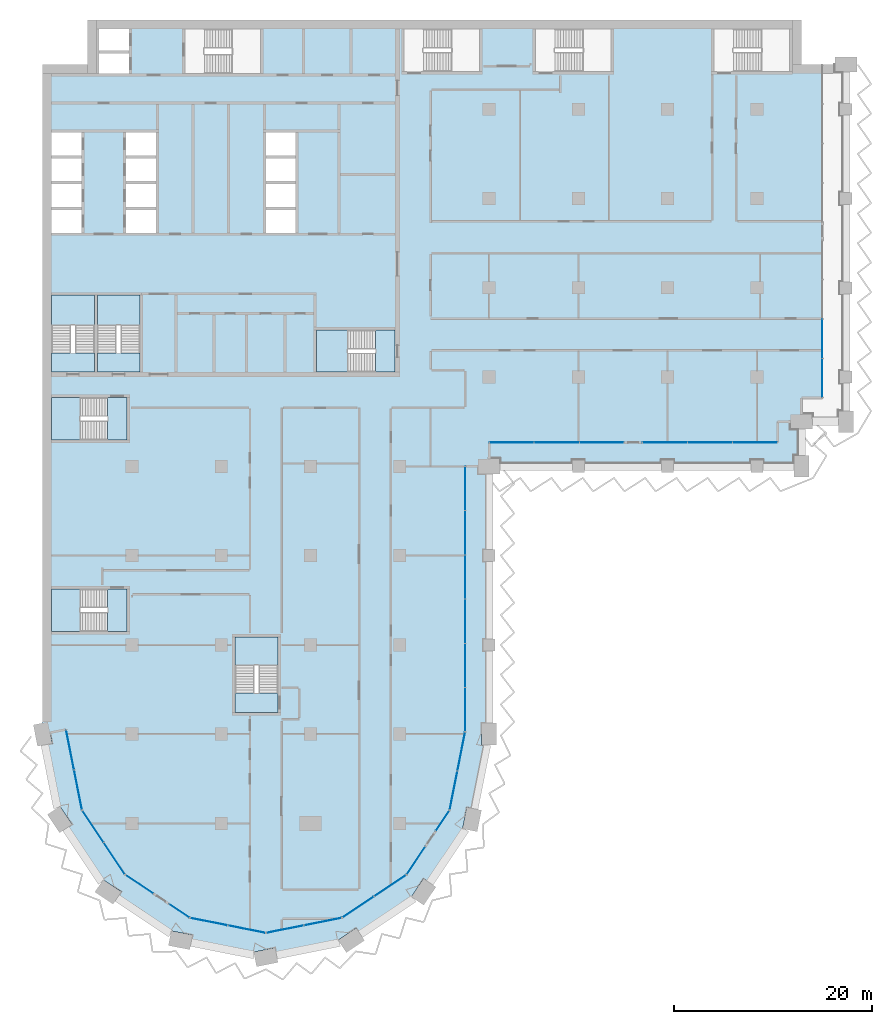
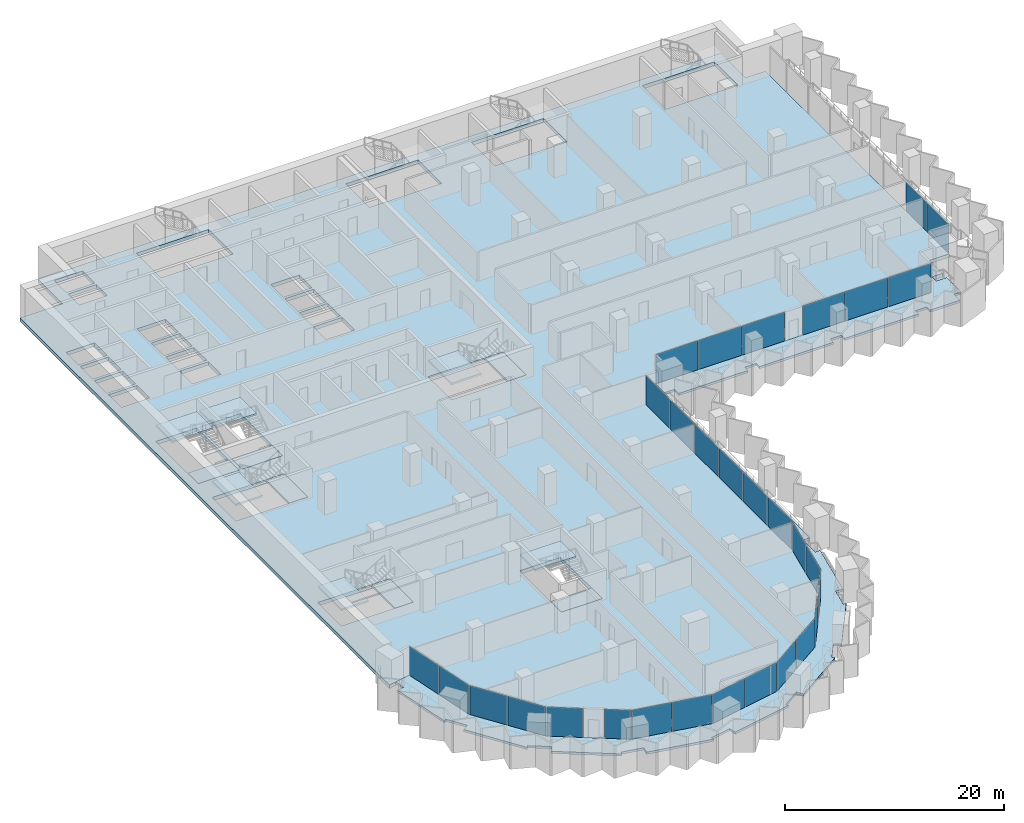
# One storey, part 7 of 23: 30 plates, 15 slabs, 20 elements without a shape of their own.
"""IFC4 building model written with IfcOpenShell, lengths in metres."""

from ifc_helpers import new_model, si_unit, direction, frame, origin, origin_2d, place, context, subcontext, project, spatial, polyline, rectangle, outline, extrude, material, layer, layer_set, type_object, element, aggregate, save


model = new_model("IFC4")

# Units and contexts
model_context = context("Model", 3, precision=1e-05, world=origin(), true_north=direction((0.0, 1.0)))
body_context = subcontext(model_context, "Body", "Model", "MODEL_VIEW")
ifc_project = project(units=[si_unit("LENGTHUNIT", "METRE"), si_unit("AREAUNIT", "SQUARE_METRE"), si_unit("VOLUMEUNIT", "CUBIC_METRE"), si_unit("PLANEANGLEUNIT", "RADIAN"), si_unit("MASSUNIT", "GRAM", prefix="KILO")], contexts=[model_context])

# Site, building, storey
site_placement = place(None, origin())
site = spatial("IfcSite", under=ifc_project, at=site_placement, CompositionType="ELEMENT")
building_placement = place(site_placement, origin())
building = spatial("IfcBuilding", under=site, at=building_placement, Name="Hunhe Ridgeline Campus", CompositionType="ELEMENT")
storey_placement = place(building_placement, frame((0.0, 0.0, 95.89990234375)))
storey = spatial("IfcBuildingStorey", under=building, at=storey_placement, Name="L23", CompositionType="ELEMENT", Elevation=95.89990234375)

# Curtain wall, plates
ifc_material_1 = material(Name="Aluminium 6063", Category="aluminium")
curtain_wall_type_1 = type_object("IfcCurtainWallType", Name="Curtain wall CW-5", PredefinedType="NOTDEFINED", material=ifc_material_1)
curtain_wall_1_placement = place(storey_placement, origin())
curtain_wall_1 = element("IfcCurtainWall", 1, at=curtain_wall_1_placement, inside=storey, type_object=curtain_wall_type_1, Name="Curtain wall 01", PredefinedType="NOTDEFINED")
ifc_material_2 = material(Name="Low-e laminated glass", Category="glass")
ifc_layer_1 = layer(ifc_material_2, 0.028076171875)
ifc_layer_set_1 = layer_set([ifc_layer_1], Name="Curtain wall glass panel 28 low-e laminated")
plate_type = type_object("IfcPlateType", Name="Curtain wall glass panel 28 low-e laminated", PredefinedType="CURTAIN_PANEL", material=ifc_layer_set_1)
plate_1_placement = place(storey_placement, frame((2.76318359375, 25.416015625, 0.0), z_axis=(0.0, 0.0, 1.0), x_axis=(0.195095347137, -0.980784280831, 0.0)))
plate_1 = element("IfcPlate", 2, at=plate_1_placement, type_object=plate_type, Name="CW-5 panel 1", PredefinedType="CURTAIN_PANEL", context=body_context, shape_type="SweptSolid", body=[
    extrude(rectangle(XDim=4.0458984375, YDim=0.028076171875, at=origin_2d()), origin(), (0.0, 0.0, 1.0), 3.22998046875),
])
plate_2_placement = place(storey_placement, frame((3.566162109375, 21.379150390625, 0.0), z_axis=(0.0, 0.0, 1.0), x_axis=(0.195095347137, -0.980784280831, 0.0)))
plate_2 = element("IfcPlate", 3, at=plate_2_placement, type_object=plate_type, Name="CW-5 panel 2", PredefinedType="CURTAIN_PANEL", context=body_context, shape_type="SweptSolid", body=[
    extrude(rectangle(XDim=4.0458984375, YDim=0.028076171875, at=origin_2d()), origin(), (0.0, 0.0, 1.0), 3.22998046875),
])
aggregate(curtain_wall_1, [plate_1, plate_2])

curtain_wall_2_placement = place(storey_placement, origin())
curtain_wall_2 = element("IfcCurtainWall", 4, at=curtain_wall_2_placement, inside=storey, type_object=curtain_wall_type_1, Name="Curtain wall 02", PredefinedType="NOTDEFINED")
plate_3_placement = place(storey_placement, frame((5.07080078125, 17.685546875, 0.0), z_axis=(0.0, 0.0, 1.0), x_axis=(0.555570274596, -0.831469584522, 0.0)))
plate_3 = element("IfcPlate", 5, at=plate_3_placement, type_object=plate_type, Name="CW-5 panel 1", PredefinedType="CURTAIN_PANEL", context=body_context, shape_type="SweptSolid", body=[
    extrude(rectangle(XDim=3.806884765625, YDim=0.028076171875, at=origin_2d()), origin(), (0.0, 0.0, 1.0), 3.22998046875),
])
plate_4_placement = place(storey_placement, frame((7.224609375, 14.4619140625, 0.0), z_axis=(0.0, 0.0, 1.0), x_axis=(0.555570274596, -0.831469584522, 0.0)))
plate_4 = element("IfcPlate", 6, at=plate_4_placement, type_object=plate_type, Name="CW-5 panel 2", PredefinedType="CURTAIN_PANEL", context=body_context, shape_type="SweptSolid", body=[
    extrude(rectangle(XDim=3.806884765625, YDim=0.028076171875, at=origin_2d()), origin(), (0.0, 0.0, 1.0), 3.22998046875),
])
aggregate(curtain_wall_2, [plate_3, plate_4])

# Curtain wall, plate
curtain_wall_3_placement = place(storey_placement, origin())
curtain_wall_3 = element("IfcCurtainWall", 7, at=curtain_wall_3_placement, inside=storey, type_object=curtain_wall_type_1, Name="Curtain wall 03", PredefinedType="NOTDEFINED")
plate_5_placement = place(storey_placement, frame((9.76025390625, 11.859375, 0.0), z_axis=(0.0, 0.0, 1.0), x_axis=(0.831469595944, -0.555570257501, 0.0)))
plate_5 = element("IfcPlate", 8, at=plate_5_placement, type_object=plate_type, Name="CW-5 panel 1", PredefinedType="CURTAIN_PANEL", context=body_context, shape_type="SweptSolid", body=[
    extrude(rectangle(XDim=3.322021484375, YDim=0.028076171875, at=origin_2d()), origin(), (0.0, 0.0, 1.0), 3.22998046875),
])
aggregate(curtain_wall_3, [plate_5])

curtain_wall_4_placement = place(storey_placement, origin())
curtain_wall_4 = element("IfcCurtainWall", 9, at=curtain_wall_4_placement, inside=storey, type_object=curtain_wall_type_1, Name="Curtain wall 04", PredefinedType="NOTDEFINED")
plate_6_placement = place(storey_placement, frame((13.761474609375, 9.18603515625, 0.0), z_axis=(0.0, 0.0, 1.0), x_axis=(0.831469510353, -0.555570385598, 0.0)))
plate_6 = element("IfcPlate", 10, at=plate_6_placement, type_object=plate_type, Name="CW-5 panel 1", PredefinedType="CURTAIN_PANEL", context=body_context, shape_type="SweptSolid", body=[
    extrude(rectangle(XDim=2.421875, YDim=0.028076171875, at=origin_2d()), origin(), (0.0, 0.0, 1.0), 3.22998046875),
])
aggregate(curtain_wall_4, [plate_6])

# Curtain wall, plates
curtain_wall_5_placement = place(storey_placement, origin())
curtain_wall_5 = element("IfcCurtainWall", 11, at=curtain_wall_5_placement, inside=storey, type_object=curtain_wall_type_1, Name="Curtain wall 05", PredefinedType="NOTDEFINED")
plate_7_placement = place(storey_placement, frame((16.761962890625, 8.08935546875, 0.0), z_axis=(0.0, 0.0, 1.0), x_axis=(0.980785275326, -0.195090347539, 0.0)))
plate_7 = element("IfcPlate", 12, at=plate_7_placement, type_object=plate_type, Name="CW-5 panel 1", PredefinedType="CURTAIN_PANEL", context=body_context, shape_type="SweptSolid", body=[
    extrude(rectangle(XDim=3.806884765625, YDim=0.028076171875, at=origin_2d()), origin(), (0.0, 0.0, 1.0), 3.22998046875),
])
plate_8_placement = place(storey_placement, frame((20.564453125, 7.3330078125, 0.0), z_axis=(0.0, 0.0, 1.0), x_axis=(0.980785275326, -0.195090347539, 0.0)))
plate_8 = element("IfcPlate", 13, at=plate_8_placement, type_object=plate_type, Name="CW-5 panel 2", PredefinedType="CURTAIN_PANEL", context=body_context, shape_type="SweptSolid", body=[
    extrude(rectangle(XDim=3.806884765625, YDim=0.028076171875, at=origin_2d()), origin(), (0.0, 0.0, 1.0), 3.22998046875),
])
aggregate(curtain_wall_5, [plate_7, plate_8])

curtain_wall_6_placement = place(storey_placement, origin())
curtain_wall_6 = element("IfcCurtainWall", 14, at=curtain_wall_6_placement, inside=storey, type_object=curtain_wall_type_1, Name="Curtain wall 06", PredefinedType="NOTDEFINED")
plate_9_placement = place(storey_placement, frame((24.435546875, 7.3330078125, 0.0), z_axis=(0.0, 0.0, 1.0), x_axis=(0.980785275326, 0.195090347539, 0.0)))
plate_9 = element("IfcPlate", 15, at=plate_9_placement, type_object=plate_type, Name="CW-5 panel 1", PredefinedType="CURTAIN_PANEL", context=body_context, shape_type="SweptSolid", body=[
    extrude(rectangle(XDim=3.806884765625, YDim=0.028076171875, at=origin_2d()), origin(), (0.0, 0.0, 1.0), 3.22998046875),
])
plate_10_placement = place(storey_placement, frame((28.238037109375, 8.08935546875, 0.0), z_axis=(0.0, 0.0, 1.0), x_axis=(0.980785275326, 0.195090347539, 0.0)))
plate_10 = element("IfcPlate", 16, at=plate_10_placement, type_object=plate_type, Name="CW-5 panel 2", PredefinedType="CURTAIN_PANEL", context=body_context, shape_type="SweptSolid", body=[
    extrude(rectangle(XDim=3.806884765625, YDim=0.028076171875, at=origin_2d()), origin(), (0.0, 0.0, 1.0), 3.22998046875),
])
aggregate(curtain_wall_6, [plate_9, plate_10])

curtain_wall_7_placement = place(storey_placement, origin())
curtain_wall_7 = element("IfcCurtainWall", 17, at=curtain_wall_7_placement, inside=storey, type_object=curtain_wall_type_1, Name="Curtain wall 07", PredefinedType="NOTDEFINED")
plate_11_placement = place(storey_placement, frame((31.814453125, 9.57080078125, 0.0), z_axis=(0.0, 0.0, 1.0), x_axis=(0.831469584522, 0.555570274596, 0.0)))
plate_11 = element("IfcPlate", 18, at=plate_11_placement, type_object=plate_type, Name="CW-5 panel 1", PredefinedType="CURTAIN_PANEL", context=body_context, shape_type="SweptSolid", body=[
    extrude(rectangle(XDim=3.806884765625, YDim=0.028076171875, at=origin_2d()), origin(), (0.0, 0.0, 1.0), 3.22998046875),
])
plate_12_placement = place(storey_placement, frame((35.0380859375, 11.724609375, 0.0), z_axis=(0.0, 0.0, 1.0), x_axis=(0.831469584522, 0.555570274596, 0.0)))
plate_12 = element("IfcPlate", 19, at=plate_12_placement, type_object=plate_type, Name="CW-5 panel 2", PredefinedType="CURTAIN_PANEL", context=body_context, shape_type="SweptSolid", body=[
    extrude(rectangle(XDim=3.806884765625, YDim=0.028076171875, at=origin_2d()), origin(), (0.0, 0.0, 1.0), 3.22998046875),
])
aggregate(curtain_wall_7, [plate_11, plate_12])

# Curtain wall, plate
curtain_wall_8_placement = place(storey_placement, origin())
curtain_wall_8 = element("IfcCurtainWall", 20, at=curtain_wall_8_placement, inside=storey, type_object=curtain_wall_type_1, Name="Curtain wall 08", PredefinedType="NOTDEFINED")
plate_13_placement = place(storey_placement, frame((37.640625, 14.26025390625, 0.0), z_axis=(0.0, 0.0, 1.0), x_axis=(0.555570257501, 0.831469595944, 0.0)))
plate_13 = element("IfcPlate", 21, at=plate_13_placement, type_object=plate_type, Name="CW-5 panel 1", PredefinedType="CURTAIN_PANEL", context=body_context, shape_type="SweptSolid", body=[
    extrude(rectangle(XDim=3.322021484375, YDim=0.028076171875, at=origin_2d()), origin(), (0.0, 0.0, 1.0), 3.22998046875),
])
aggregate(curtain_wall_8, [plate_13])

curtain_wall_9_placement = place(storey_placement, origin())
curtain_wall_9 = element("IfcCurtainWall", 22, at=curtain_wall_9_placement, inside=storey, type_object=curtain_wall_type_1, Name="Curtain wall 09", PredefinedType="NOTDEFINED")
plate_14_placement = place(storey_placement, frame((40.31396484375, 18.261474609375, 0.0), z_axis=(0.0, 0.0, 1.0), x_axis=(0.555570385598, 0.831469510353, 0.0)))
plate_14 = element("IfcPlate", 23, at=plate_14_placement, type_object=plate_type, Name="CW-5 panel 1", PredefinedType="CURTAIN_PANEL", context=body_context, shape_type="SweptSolid", body=[
    extrude(rectangle(XDim=2.421875, YDim=0.028076171875, at=origin_2d()), origin(), (0.0, 0.0, 1.0), 3.22998046875),
])
aggregate(curtain_wall_9, [plate_14])

# Curtain wall, plates
curtain_wall_10_placement = place(storey_placement, origin())
curtain_wall_10 = element("IfcCurtainWall", 24, at=curtain_wall_10_placement, inside=storey, type_object=curtain_wall_type_1, Name="Curtain wall 10", PredefinedType="NOTDEFINED")
plate_15_placement = place(storey_placement, frame((41.42236328125, 21.321044921875, 0.0), z_axis=(0.0, 0.0, 1.0), x_axis=(0.195090299215, 0.980785284939, 0.0)))
plate_15 = element("IfcPlate", 25, at=plate_15_placement, type_object=plate_type, Name="CW-5 panel 1", PredefinedType="CURTAIN_PANEL", context=body_context, shape_type="SweptSolid", body=[
    extrude(rectangle(XDim=3.927490234375, YDim=0.028076171875, at=origin_2d()), origin(), (0.0, 0.0, 1.0), 3.22998046875),
])
plate_16_placement = place(storey_placement, frame((42.2021484375, 25.24169921875, 0.0), z_axis=(0.0, 0.0, 1.0), x_axis=(0.195090299215, 0.980785284939, 0.0)))
plate_16 = element("IfcPlate", 26, at=plate_16_placement, type_object=plate_type, Name="CW-5 panel 2", PredefinedType="CURTAIN_PANEL", context=body_context, shape_type="SweptSolid", body=[
    extrude(rectangle(XDim=3.927490234375, YDim=0.028076171875, at=origin_2d()), origin(), (0.0, 0.0, 1.0), 3.22998046875),
])
aggregate(curtain_wall_10, [plate_15, plate_16])

curtain_wall_type_2 = type_object("IfcCurtainWallType", Name="Curtain wall CW-1", PredefinedType="NOTDEFINED", material=ifc_material_1)
curtain_wall_11_placement = place(storey_placement, origin())
curtain_wall_11 = element("IfcCurtainWall", 27, at=curtain_wall_11_placement, inside=storey, type_object=curtain_wall_type_2, Name="Curtain wall 11", PredefinedType="NOTDEFINED")
plate_17_placement = place(storey_placement, frame((42.59912109375, 29.48193359375, 0.0), z_axis=(0.0, 0.0, 1.0), x_axis=(1.0947456e-05, 0.99999999994, 0.0)))
plate_17 = element("IfcPlate", 28, at=plate_17_placement, type_object=plate_type, Name="CW-1 panel 1", PredefinedType="CURTAIN_PANEL", context=body_context, shape_type="SweptSolid", body=[
    extrude(rectangle(XDim=4.37060546875, YDim=0.028076171875, at=origin_2d()), origin(), (0.0, 0.0, 1.0), 3.239990234375),
])
plate_18_placement = place(storey_placement, frame((42.59912109375, 33.927490234375, 0.0), z_axis=(0.0, 0.0, 1.0), x_axis=(1.0947456e-05, 0.99999999994, 0.0)))
plate_18 = element("IfcPlate", 29, at=plate_18_placement, type_object=plate_type, Name="CW-1 panel 2", PredefinedType="CURTAIN_PANEL", context=body_context, shape_type="SweptSolid", body=[
    extrude(rectangle(XDim=4.400634765625, YDim=0.028076171875, at=origin_2d()), origin(), (0.0, 0.0, 1.0), 3.239990234375),
])
plate_19_placement = place(storey_placement, frame((42.59912109375, 38.38818359375, 0.0), z_axis=(0.0, 0.0, 1.0), x_axis=(1.0947456e-05, 0.99999999994, 0.0)))
plate_19 = element("IfcPlate", 30, at=plate_19_placement, type_object=plate_type, Name="CW-1 panel 3", PredefinedType="CURTAIN_PANEL", context=body_context, shape_type="SweptSolid", body=[
    extrude(rectangle(XDim=4.400634765625, YDim=0.028076171875, at=origin_2d()), origin(), (0.0, 0.0, 1.0), 3.239990234375),
])
plate_20_placement = place(storey_placement, frame((42.59912109375, 42.848876953125, 0.0), z_axis=(0.0, 0.0, 1.0), x_axis=(1.0947456e-05, 0.99999999994, 0.0)))
plate_20 = element("IfcPlate", 31, at=plate_20_placement, type_object=plate_type, Name="CW-1 panel 4", PredefinedType="CURTAIN_PANEL", context=body_context, shape_type="SweptSolid", body=[
    extrude(rectangle(XDim=4.400634765625, YDim=0.028076171875, at=origin_2d()), origin(), (0.0, 0.0, 1.0), 3.239990234375),
])
plate_21_placement = place(storey_placement, frame((42.59912109375, 47.3095703125, 0.0), z_axis=(0.0, 0.0, 1.0), x_axis=(1.0947456e-05, 0.99999999994, 0.0)))
plate_21 = element("IfcPlate", 32, at=plate_21_placement, type_object=plate_type, Name="CW-1 panel 5", PredefinedType="CURTAIN_PANEL", context=body_context, shape_type="SweptSolid", body=[
    extrude(rectangle(XDim=4.400634765625, YDim=0.028076171875, at=origin_2d()), origin(), (0.0, 0.0, 1.0), 3.239990234375),
])
plate_22_placement = place(storey_placement, frame((42.599365234375, 51.75537109375, 0.0), z_axis=(0.0, 0.0, 1.0), x_axis=(1.0947456e-05, 0.99999999994, 0.0)))
plate_22 = element("IfcPlate", 33, at=plate_22_placement, type_object=plate_type, Name="CW-1 panel 6", PredefinedType="CURTAIN_PANEL", context=body_context, shape_type="SweptSolid", body=[
    extrude(rectangle(XDim=4.37060546875, YDim=0.028076171875, at=origin_2d()), origin(), (0.0, 0.0, 1.0), 3.239990234375),
])
aggregate(curtain_wall_11, [plate_17, plate_18, plate_19, plate_20, plate_21, plate_22])

curtain_wall_12_placement = place(storey_placement, origin())
curtain_wall_12 = element("IfcCurtainWall", 34, at=curtain_wall_12_placement, inside=storey, type_object=curtain_wall_type_2, Name="Curtain wall 12", PredefinedType="NOTDEFINED")
plate_23_placement = place(storey_placement, frame((47.289794921875, 56.40087890625, 0.0), z_axis=(0.0, 0.0, 1.0), x_axis=(1.0, 1.4652e-07, 0.0)))
plate_23 = element("IfcPlate", 35, at=plate_23_placement, type_object=plate_type, Name="CW-1 panel 1", PredefinedType="CURTAIN_PANEL", context=body_context, shape_type="SweptSolid", body=[
    extrude(rectangle(XDim=4.4599609375, YDim=0.028076171875, at=origin_2d()), origin(), (0.0, 0.0, 1.0), 3.239990234375),
])
plate_24_placement = place(storey_placement, frame((51.82470703125, 56.40087890625, 0.0), z_axis=(0.0, 0.0, 1.0), x_axis=(1.0, 1.4652e-07, 0.0)))
plate_24 = element("IfcPlate", 36, at=plate_24_placement, type_object=plate_type, Name="CW-1 panel 2", PredefinedType="CURTAIN_PANEL", context=body_context, shape_type="SweptSolid", body=[
    extrude(rectangle(XDim=4.48974609375, YDim=0.028076171875, at=origin_2d()), origin(), (0.0, 0.0, 1.0), 3.239990234375),
])
plate_25_placement = place(storey_placement, frame((56.359619140625, 56.40087890625, 0.0), z_axis=(0.0, 0.0, 1.0), x_axis=(1.0, 1.4652e-07, 0.0)))
plate_25 = element("IfcPlate", 37, at=plate_25_placement, type_object=plate_type, Name="CW-1 panel 3", PredefinedType="CURTAIN_PANEL", context=body_context, shape_type="SweptSolid", body=[
    extrude(rectangle(XDim=4.4599609375, YDim=0.028076171875, at=origin_2d()), origin(), (0.0, 0.0, 1.0), 3.239990234375),
])
aggregate(curtain_wall_12, [plate_23, plate_24, plate_25])

curtain_wall_13_placement = place(storey_placement, origin())
curtain_wall_13 = element("IfcCurtainWall", 38, at=curtain_wall_13_placement, inside=storey, type_object=curtain_wall_type_2, Name="Curtain wall 13", PredefinedType="NOTDEFINED")
plate_26_placement = place(storey_placement, frame((62.7392578125, 56.40087890625, 0.0), z_axis=(0.0, 0.0, 1.0), x_axis=(1.0, 1.4652e-07, 0.0)))
plate_26 = element("IfcPlate", 39, at=plate_26_placement, type_object=plate_type, Name="CW-1 panel 1", PredefinedType="CURTAIN_PANEL", context=body_context, shape_type="SweptSolid", body=[
    extrude(rectangle(XDim=4.4599609375, YDim=0.028076171875, at=origin_2d()), origin(), (0.0, 0.0, 1.0), 3.239990234375),
])
plate_27_placement = place(storey_placement, frame((67.274169921875, 56.40087890625, 0.0), z_axis=(0.0, 0.0, 1.0), x_axis=(1.0, 1.4652e-07, 0.0)))
plate_27 = element("IfcPlate", 40, at=plate_27_placement, type_object=plate_type, Name="CW-1 panel 2", PredefinedType="CURTAIN_PANEL", context=body_context, shape_type="SweptSolid", body=[
    extrude(rectangle(XDim=4.48974609375, YDim=0.028076171875, at=origin_2d()), origin(), (0.0, 0.0, 1.0), 3.239990234375),
])
plate_28_placement = place(storey_placement, frame((71.80908203125, 56.40087890625, 0.0), z_axis=(0.0, 0.0, 1.0), x_axis=(1.0, 1.4652e-07, 0.0)))
plate_28 = element("IfcPlate", 41, at=plate_28_placement, type_object=plate_type, Name="CW-1 panel 3", PredefinedType="CURTAIN_PANEL", context=body_context, shape_type="SweptSolid", body=[
    extrude(rectangle(XDim=4.4599609375, YDim=0.028076171875, at=origin_2d()), origin(), (0.0, 0.0, 1.0), 3.239990234375),
])
aggregate(curtain_wall_13, [plate_26, plate_27, plate_28])

curtain_wall_14_placement = place(storey_placement, origin())
curtain_wall_14 = element("IfcCurtainWall", 42, at=curtain_wall_14_placement, inside=storey, type_object=curtain_wall_type_2, Name="Curtain wall 14", PredefinedType="NOTDEFINED")
plate_29_placement = place(storey_placement, frame((78.59912109375, 62.9033203125, 0.0), z_axis=(0.0, 0.0, 1.0), x_axis=(0.0, 1.0, 0.0)))
plate_29 = element("IfcPlate", 43, at=plate_29_placement, type_object=plate_type, Name="CW-1 panel 1", PredefinedType="CURTAIN_PANEL", context=body_context, shape_type="SweptSolid", body=[
    extrude(rectangle(XDim=3.884765625, YDim=0.028076171875, at=origin_2d()), origin(), (0.0, 0.0, 1.0), 3.239990234375),
])
plate_30_placement = place(storey_placement, frame((78.59912109375, 66.86328125, 0.0), z_axis=(0.0, 0.0, 1.0), x_axis=(0.0, 1.0, 0.0)))
plate_30 = element("IfcPlate", 44, at=plate_30_placement, type_object=plate_type, Name="CW-1 panel 2", PredefinedType="CURTAIN_PANEL", context=body_context, shape_type="SweptSolid", body=[
    extrude(rectangle(XDim=3.914794921875, YDim=0.028076171875, at=origin_2d()), origin(), (0.0, 0.0, 1.0), 3.239990234375),
])
aggregate(curtain_wall_14, [plate_29, plate_30])

# Slabs
ifc_material_3 = material(Name="Concrete C40", Category="concrete")
ifc_layer_2 = layer(ifc_material_3, 0.39990234375)
ifc_layer_set_2 = layer_set([ifc_layer_2], Name="Floor slab 400 Concrete C40")
slab_type_1 = type_object("IfcSlabType", Name="Floor slab 400 Concrete C40", PredefinedType="FLOOR", material=ifc_layer_set_2)
slab_1_placement = place(storey_placement, frame((0.0, 0.0, -0.39990234375)))
element("IfcSlab", 45, at=slab_1_placement, inside=storey, type_object=slab_type_1, Name="Floor slab L23 1", PredefinedType="FLOOR", context=body_context, shape_type="SweptSolid", body=[
    extrude(outline(polyline([(0.0, 27.0009765625), (2.354736328125, 27.46875), (3.974365234375, 19.326416015625), (8.321044921875, 12.821044921875), (14.826416015625, 8.474365234375), (22.5, 6.947998046875), (30.173583984375, 8.474365234375), (36.678955078125, 12.821044921875), (41.025634765625, 19.326416015625), (42.59912109375, 27.236572265625), (42.599365234375, 54.000732421875), (44.9990234375, 54.0009765625), (45.0, 56.40087890625), (74.09912109375, 56.40087890625), (74.099365234375, 58.500732421875), (76.4990234375, 58.5009765625), (76.499267578125, 60.900634765625), (78.59912109375, 60.90087890625), (78.59912109375, 94.5), (76.5, 94.5), (76.5, 99.0), (4.5, 99.0), (4.5, 94.5), (0.0, 94.5), (0.0, 27.0009765625)]), holes=[polyline([(67.699951171875, 93.800048828125), (75.300048828125, 93.800048828125), (75.300048828125, 98.10009765625), (67.699951171875, 98.10009765625), (67.699951171875, 93.800048828125)]), polyline([(57.300048828125, 93.800048828125), (57.300048828125, 98.10009765625), (49.699951171875, 98.10009765625), (49.699951171875, 93.800048828125), (57.300048828125, 93.800048828125)]), polyline([(44.050048828125, 98.10009765625), (36.449951171875, 98.10009765625), (36.449951171875, 93.800048828125), (44.050048828125, 93.800048828125), (44.050048828125, 98.10009765625)]), polyline([(27.60009765625, 67.75), (27.60009765625, 63.5), (35.5, 63.5), (35.5, 67.75), (27.60009765625, 67.75)]), polyline([(25.5, 85.35009765625), (25.5, 87.64990234375), (22.5, 87.64990234375), (22.5, 85.35009765625), (25.5, 85.35009765625)]), polyline([(25.5, 85.050048828125), (22.5, 85.050048828125), (22.5, 82.75), (25.5, 82.75), (25.5, 85.050048828125)]), polyline([(22.5, 82.449951171875), (22.5, 80.14990234375), (25.5, 80.14990234375), (25.5, 82.449951171875), (22.5, 82.449951171875)]), polyline([(22.5, 77.550048828125), (25.5, 77.550048828125), (25.5, 79.85009765625), (22.5, 79.85009765625), (22.5, 77.550048828125)]), polyline([(19.39990234375, 29.199951171875), (23.699951171875, 29.199951171875), (23.699951171875, 36.800048828125), (19.39990234375, 36.800048828125), (19.39990234375, 29.199951171875)]), polyline([(21.949951171875, 98.10009765625), (14.35009765625, 98.10009765625), (14.35009765625, 93.60009765625), (21.949951171875, 93.60009765625), (21.949951171875, 98.10009765625)]), polyline([(8.39990234375, 82.449951171875), (8.39990234375, 80.14990234375), (11.39990234375, 80.14990234375), (11.39990234375, 82.449951171875), (8.39990234375, 82.449951171875)]), polyline([(11.39990234375, 85.35009765625), (11.39990234375, 87.64990234375), (8.39990234375, 87.64990234375), (8.39990234375, 85.35009765625), (11.39990234375, 85.35009765625)]), polyline([(11.39990234375, 85.050048828125), (8.39990234375, 85.050048828125), (8.39990234375, 82.75), (11.39990234375, 82.75), (11.39990234375, 85.050048828125)]), polyline([(8.39990234375, 77.550048828125), (11.39990234375, 77.550048828125), (11.39990234375, 79.85009765625), (8.39990234375, 79.85009765625), (8.39990234375, 77.550048828125)]), polyline([(5.5, 63.5), (9.800048828125, 63.5), (9.800048828125, 71.25), (5.5, 71.25), (5.5, 63.5)]), polyline([(5.699951171875, 98.10009765625), (5.699951171875, 95.89990234375), (8.699951171875, 95.89990234375), (8.699951171875, 98.10009765625), (5.699951171875, 98.10009765625)]), polyline([(5.699951171875, 93.60009765625), (8.699951171875, 93.60009765625), (8.699951171875, 95.60009765625), (5.699951171875, 95.60009765625), (5.699951171875, 93.60009765625)]), polyline([(0.89990234375, 60.949951171875), (0.89990234375, 56.64990234375), (8.5, 56.64990234375), (8.5, 60.949951171875), (0.89990234375, 60.949951171875)]), polyline([(0.89990234375, 37.35009765625), (8.5, 37.35009765625), (8.5, 41.64990234375), (0.89990234375, 41.64990234375), (0.89990234375, 37.35009765625)]), polyline([(5.199951171875, 63.5), (5.199951171875, 71.25), (0.89990234375, 71.25), (0.89990234375, 63.5), (5.199951171875, 63.5)]), polyline([(3.89990234375, 85.35009765625), (3.89990234375, 87.64990234375), (0.89990234375, 87.64990234375), (0.89990234375, 85.35009765625), (3.89990234375, 85.35009765625)]), polyline([(3.89990234375, 85.050048828125), (0.89990234375, 85.050048828125), (0.89990234375, 82.75), (3.89990234375, 82.75), (3.89990234375, 85.050048828125)]), polyline([(0.89990234375, 82.449951171875), (0.89990234375, 80.14990234375), (3.89990234375, 80.14990234375), (3.89990234375, 82.449951171875), (0.89990234375, 82.449951171875)]), polyline([(0.89990234375, 77.550048828125), (3.89990234375, 77.550048828125), (3.89990234375, 79.85009765625), (0.89990234375, 79.85009765625), (0.89990234375, 77.550048828125)])]), origin(), (0.0, 0.0, 1.0), 0.39990234375),
])
ifc_layer_3 = layer(ifc_material_3, 0.25)
ifc_layer_set_3 = layer_set([ifc_layer_3], Name="Loggia slab 250 Concrete C40")
slab_type_2 = type_object("IfcSlabType", Name="Loggia slab 250 Concrete C40", PredefinedType="FLOOR", material=ifc_layer_set_3)
slab_2_placement = place(storey_placement, frame((0.0, 0.0, -0.25)))
element("IfcSlab", 46, at=slab_2_placement, inside=storey, type_object=slab_type_2, Name="Loggia slab 1", PredefinedType="FLOOR", context=body_context, shape_type="SweptSolid", body=[
    extrude(outline(polyline([(30.173828125, 8.473388671875), (22.5, 6.947021484375), (14.826171875, 8.473388671875), (8.3203125, 12.8203125), (3.973388671875, 19.326171875), (2.35400390625, 27.46826171875), (0.735595703125, 27.146240234375), (0.9501953125, 26.0673828125), (0.214599609375, 25.921142578125), (1.48046875, 19.557373046875), (1.72509765625, 19.720947265625), (2.947509765625, 17.8916015625), (2.32373046875, 17.47509765625), (5.9287109375, 12.080078125), (6.092041015625, 12.32470703125), (7.92138671875, 11.1025390625), (7.504638671875, 10.47900390625), (12.899658203125, 6.874267578125), (12.95703125, 7.162841796875), (15.11474609375, 6.733642578125), (14.968505859375, 5.998046875), (21.332275390625, 4.732177734375), (21.27490234375, 5.02099609375), (23.4326171875, 5.4501953125), (23.578857421875, 4.714599609375), (29.942626953125, 5.98046875), (29.779052734375, 6.22509765625), (31.6083984375, 7.447509765625), (32.02490234375, 6.82373046875), (37.419921875, 10.4287109375), (37.17529296875, 10.592041015625), (38.3974609375, 12.42138671875), (39.02099609375, 12.004638671875), (42.625732421875, 17.399658203125), (42.337158203125, 17.45703125), (42.766357421875, 19.61474609375), (43.501953125, 19.468505859375), (44.78125, 25.89990234375), (44.25, 25.89990234375), (44.25, 28.10009765625), (45.0, 28.10009765625), (45.0, 35.39990234375), (44.39990234375, 35.39990234375), (44.39990234375, 36.60009765625), (45.0, 36.60009765625), (45.0, 44.39990234375), (44.39990234375, 44.39990234375), (44.39990234375, 45.60009765625), (45.0, 45.60009765625), (45.0, 53.25), (43.89990234375, 53.25), (43.89990234375, 54.0), (42.60009765625, 54.0), (42.60009765625, 27.236328125), (41.026611328125, 19.326171875), (36.6796875, 12.8203125), (30.173828125, 8.473388671875)])), origin(), (0.0, 0.0, 1.0), 0.25),
])
slab_3_placement = place(storey_placement, frame((0.0, 0.0, -0.25)))
element("IfcSlab", 47, at=slab_3_placement, inside=storey, type_object=slab_type_2, Name="Loggia slab 2", PredefinedType="FLOOR", context=body_context, shape_type="SweptSolid", body=[
    extrude(outline(polyline([(45.0, 54.75), (46.10009765625, 54.75), (46.10009765625, 54.0), (53.39990234375, 54.0), (53.39990234375, 54.60009765625), (54.60009765625, 54.60009765625), (54.60009765625, 54.0), (62.39990234375, 54.0), (62.39990234375, 54.60009765625), (63.60009765625, 54.60009765625), (63.60009765625, 54.0), (71.39990234375, 54.0), (71.39990234375, 54.60009765625), (72.60009765625, 54.60009765625), (72.60009765625, 54.0), (75.75, 54.0), (75.75, 55.10009765625), (76.5, 55.10009765625), (76.5, 57.75), (75.39990234375, 57.75), (75.39990234375, 58.5), (74.10009765625, 58.5), (74.10009765625, 56.39990234375), (45.0, 56.39990234375), (45.0, 54.75)])), origin(), (0.0, 0.0, 1.0), 0.25),
])

# Stair, slab
stair_type = type_object("IfcStairType", Name="Reinforced concrete dog-leg stair 1950 Concrete C40", PredefinedType="HALF_TURN_STAIR", material=ifc_material_3)
stair_1_placement = place(storey_placement, origin())
stair_1 = element("IfcStair", 48, at=stair_1_placement, inside=storey, type_object=stair_type, Name="L23 S2", PredefinedType="HALF_TURN_STAIR")
ifc_layer_4 = layer(ifc_material_3, 0.199951171875)
ifc_layer_set_4 = layer_set([ifc_layer_4], Name="Reinforced concrete stair landing 200 Concrete C40")
slab_type_3 = type_object("IfcSlabType", Name="Reinforced concrete stair landing 200 Concrete C40", PredefinedType="LANDING", material=ifc_layer_set_4)
slab_4_placement = place(storey_placement, frame((0.0, 0.0, 1.650146484375)))
slab_4 = element("IfcSlab", 49, at=slab_4_placement, type_object=slab_type_3, Name="ST2 landing 1", PredefinedType="LANDING", context=body_context, shape_type="SweptSolid", body=[
    extrude(outline(polyline([(30.75, 67.75), (27.60009765625, 67.75), (27.60009765625, 63.5), (30.75, 63.5), (30.75, 67.75)])), origin(), (0.0, 0.0, 1.0), 0.199951171875),
])
aggregate(stair_1, [slab_4])

# Slab
slab_5_placement = place(storey_placement, frame((0.0, 0.0, -0.199951171875)))
element("IfcSlab", 50, at=slab_5_placement, inside=storey, type_object=slab_type_3, Name="L23 stair S2 floor landing", PredefinedType="LANDING", context=body_context, shape_type="SweptSolid", body=[
    extrude(outline(polyline([(35.5, 67.75), (33.550048828125, 67.75), (33.550048828125, 63.5), (35.5, 63.5), (35.5, 67.75)])), origin(), (0.0, 0.0, 1.0), 0.199951171875),
])

# Stair, slab
stair_2_placement = place(storey_placement, origin())
stair_2 = element("IfcStair", 51, at=stair_2_placement, inside=storey, type_object=stair_type, Name="L23 S3", PredefinedType="HALF_TURN_STAIR")
slab_6_placement = place(storey_placement, frame((0.0, 0.0, 1.650146484375)))
slab_6 = element("IfcSlab", 52, at=slab_6_placement, type_object=slab_type_3, Name="ST3 landing 1", PredefinedType="LANDING", context=body_context, shape_type="SweptSolid", body=[
    extrude(outline(polyline([(5.199951171875, 68.25), (5.199951171875, 71.25), (0.89990234375, 71.25), (0.89990234375, 68.25), (5.199951171875, 68.25)])), origin(), (0.0, 0.0, 1.0), 0.199951171875),
])
aggregate(stair_2, [slab_6])

# Slab
slab_7_placement = place(storey_placement, frame((0.0, 0.0, -0.199951171875)))
element("IfcSlab", 53, at=slab_7_placement, inside=storey, type_object=slab_type_3, Name="L23 stair S3 floor landing", PredefinedType="LANDING", context=body_context, shape_type="SweptSolid", body=[
    extrude(outline(polyline([(5.199951171875, 63.5), (5.199951171875, 65.449951171875), (0.89990234375, 65.449951171875), (0.89990234375, 63.5), (5.199951171875, 63.5)])), origin(), (0.0, 0.0, 1.0), 0.199951171875),
])

# Stair, slab
stair_3_placement = place(storey_placement, origin())
stair_3 = element("IfcStair", 54, at=stair_3_placement, inside=storey, type_object=stair_type, Name="L23 S4", PredefinedType="HALF_TURN_STAIR")
slab_8_placement = place(storey_placement, frame((0.0, 0.0, 1.650146484375)))
slab_8 = element("IfcSlab", 55, at=slab_8_placement, type_object=slab_type_3, Name="ST4 landing 1", PredefinedType="LANDING", context=body_context, shape_type="SweptSolid", body=[
    extrude(outline(polyline([(9.800048828125, 68.25), (9.800048828125, 71.25), (5.5, 71.25), (5.5, 68.25), (9.800048828125, 68.25)])), origin(), (0.0, 0.0, 1.0), 0.199951171875),
])
aggregate(stair_3, [slab_8])

# Slab
slab_9_placement = place(storey_placement, frame((0.0, 0.0, -0.199951171875)))
element("IfcSlab", 56, at=slab_9_placement, inside=storey, type_object=slab_type_3, Name="L23 stair S4 floor landing", PredefinedType="LANDING", context=body_context, shape_type="SweptSolid", body=[
    extrude(outline(polyline([(9.800048828125, 63.5), (9.800048828125, 65.449951171875), (5.5, 65.449951171875), (5.5, 63.5), (9.800048828125, 63.5)])), origin(), (0.0, 0.0, 1.0), 0.199951171875),
])

# Stair, slab
stair_4_placement = place(storey_placement, origin())
stair_4 = element("IfcStair", 57, at=stair_4_placement, inside=storey, type_object=stair_type, Name="L23 W3", PredefinedType="HALF_TURN_STAIR")
slab_10_placement = place(storey_placement, frame((0.0, 0.0, 1.650146484375)))
slab_10 = element("IfcSlab", 58, at=slab_10_placement, type_object=slab_type_3, Name="ST9 landing 1", PredefinedType="LANDING", context=body_context, shape_type="SweptSolid", body=[
    extrude(outline(polyline([(23.699951171875, 33.949951171875), (23.699951171875, 36.800048828125), (19.39990234375, 36.800048828125), (19.39990234375, 33.949951171875), (23.699951171875, 33.949951171875)])), origin(), (0.0, 0.0, 1.0), 0.199951171875),
])
aggregate(stair_4, [slab_10])

# Slab
slab_11_placement = place(storey_placement, frame((0.0, 0.0, -0.199951171875)))
element("IfcSlab", 59, at=slab_11_placement, inside=storey, type_object=slab_type_3, Name="L23 stair W3 floor landing", PredefinedType="LANDING", context=body_context, shape_type="SweptSolid", body=[
    extrude(outline(polyline([(23.699951171875, 29.199951171875), (23.699951171875, 31.14990234375), (19.39990234375, 31.14990234375), (19.39990234375, 29.199951171875), (23.699951171875, 29.199951171875)])), origin(), (0.0, 0.0, 1.0), 0.199951171875),
])

# Stair, slab
stair_5_placement = place(storey_placement, origin())
stair_5 = element("IfcStair", 60, at=stair_5_placement, inside=storey, type_object=stair_type, Name="L23 W1", PredefinedType="HALF_TURN_STAIR")
slab_12_placement = place(storey_placement, frame((0.0, 0.0, 1.650146484375)))
slab_12 = element("IfcSlab", 61, at=slab_12_placement, type_object=slab_type_3, Name="ST11 landing 1", PredefinedType="LANDING", context=body_context, shape_type="SweptSolid", body=[
    extrude(outline(polyline([(3.75, 41.64990234375), (0.89990234375, 41.64990234375), (0.89990234375, 37.35009765625), (3.75, 37.35009765625), (3.75, 41.64990234375)])), origin(), (0.0, 0.0, 1.0), 0.199951171875),
])
aggregate(stair_5, [slab_12])

# Slab
slab_13_placement = place(storey_placement, frame((0.0, 0.0, -0.199951171875)))
element("IfcSlab", 62, at=slab_13_placement, inside=storey, type_object=slab_type_3, Name="L23 stair W1 floor landing", PredefinedType="LANDING", context=body_context, shape_type="SweptSolid", body=[
    extrude(outline(polyline([(8.5, 41.64990234375), (6.550048828125, 41.64990234375), (6.550048828125, 37.35009765625), (8.5, 37.35009765625), (8.5, 41.64990234375)])), origin(), (0.0, 0.0, 1.0), 0.199951171875),
])

# Stair, slab
stair_6_placement = place(storey_placement, origin())
stair_6 = element("IfcStair", 63, at=stair_6_placement, inside=storey, type_object=stair_type, Name="L23 W2", PredefinedType="HALF_TURN_STAIR")
slab_14_placement = place(storey_placement, frame((0.0, 0.0, 1.650146484375)))
slab_14 = element("IfcSlab", 64, at=slab_14_placement, type_object=slab_type_3, Name="ST12 landing 1", PredefinedType="LANDING", context=body_context, shape_type="SweptSolid", body=[
    extrude(outline(polyline([(3.75, 60.949951171875), (0.89990234375, 60.949951171875), (0.89990234375, 56.64990234375), (3.75, 56.64990234375), (3.75, 60.949951171875)])), origin(), (0.0, 0.0, 1.0), 0.199951171875),
])
aggregate(stair_6, [slab_14])

# Slab
slab_15_placement = place(storey_placement, frame((0.0, 0.0, -0.199951171875)))
element("IfcSlab", 65, at=slab_15_placement, inside=storey, type_object=slab_type_3, Name="L23 stair W2 floor landing", PredefinedType="LANDING", context=body_context, shape_type="SweptSolid", body=[
    extrude(outline(polyline([(8.5, 60.949951171875), (6.550048828125, 60.949951171875), (6.550048828125, 56.64990234375), (8.5, 56.64990234375), (8.5, 60.949951171875)])), origin(), (0.0, 0.0, 1.0), 0.199951171875),
])

save(model, "model.ifc")
